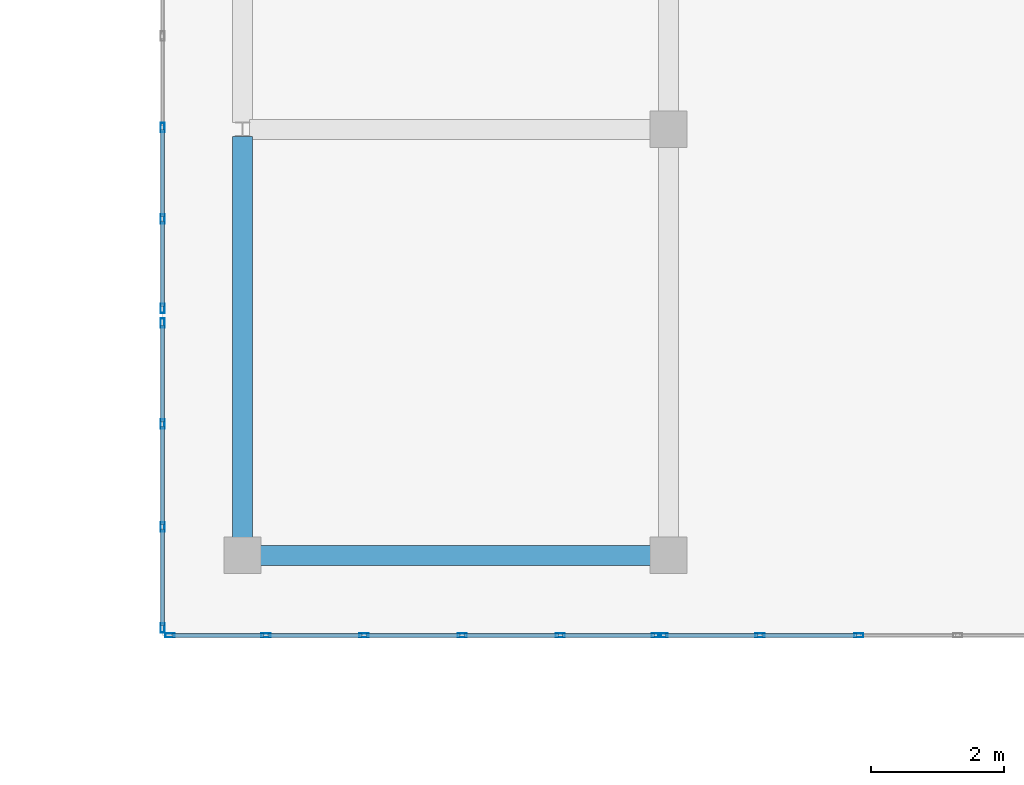
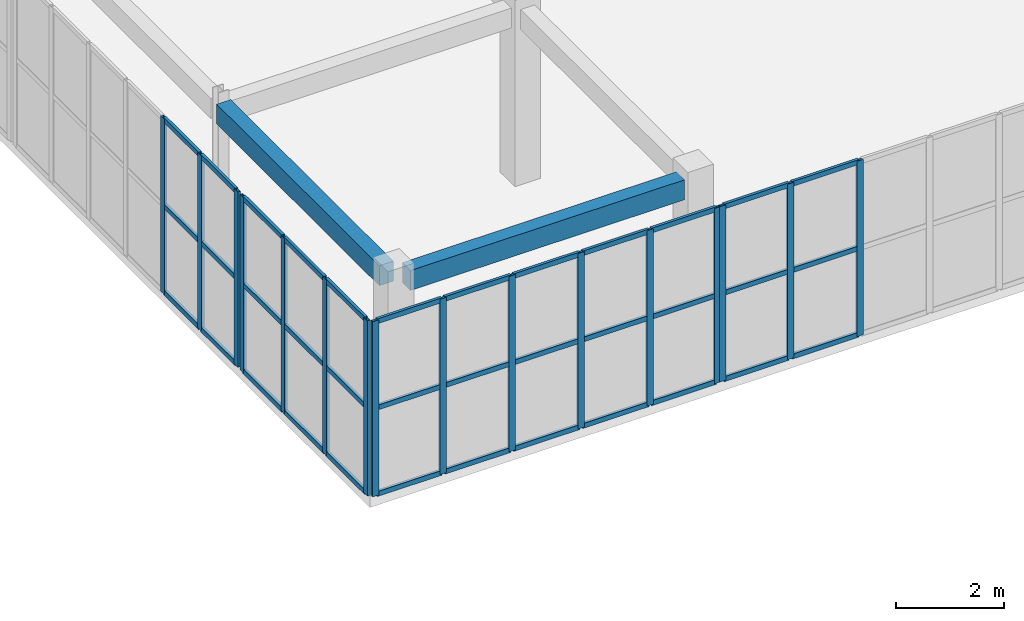
# One storey, part 16 of 140: 52 members, 2 beams, 4 elements without a shape of their own.
"""IFC4 building model written with IfcOpenShell, lengths in metres."""

from ifc_helpers import new_model, si_unit, direction, frame, origin, origin_2d, place, context, subcontext, project, spatial, rectangle, hollow_rectangle, extrude, material, layer, layer_set, material_profile, profile_set, type_object, element, aggregate, save


model = new_model("IFC4")

# Units and contexts
model_context = context("Model", 3, precision=1e-05, world=origin(), true_north=direction((0.0, 1.0)))
body_context = subcontext(model_context, "Body", "Model", "MODEL_VIEW")
ifc_project = project(units=[si_unit("LENGTHUNIT", "METRE"), si_unit("AREAUNIT", "SQUARE_METRE"), si_unit("VOLUMEUNIT", "CUBIC_METRE"), si_unit("PLANEANGLEUNIT", "RADIAN"), si_unit("MASSUNIT", "GRAM", prefix="KILO")], contexts=[model_context])

# Site, building, storey
site_placement = place(None, origin())
site = spatial("IfcSite", under=ifc_project, at=site_placement, CompositionType="ELEMENT")
building_placement = place(site_placement, origin())
building = spatial("IfcBuilding", under=site, at=building_placement, Name="Trelvath General Hospital", CompositionType="ELEMENT")
storey_placement = place(building_placement, frame((0.0, 0.0, 16.199951171875)))
storey = spatial("IfcBuildingStorey", under=building, at=storey_placement, Name="L04", CompositionType="ELEMENT", Elevation=16.199951171875)

# Beams
ifc_material_1 = material(Name="Concrete C35/45", Category="concrete")
ifc_material_profile_1 = material_profile(ifc_material_1, rectangle(XDim=0.300048828125, YDim=0.449951171875, at=origin_2d()), Name="RCB300x450")
ifc_profile_set_1 = profile_set([ifc_material_profile_1], Name="Concrete C35/45")
beam_type = type_object("IfcBeamType", Name="Beam RC300x450", PredefinedType="BEAM", material=ifc_profile_set_1)
beam_1_placement = place(storey_placement, frame((54.6708984375, 38.39990234375, 3.735107421875), z_axis=(1.0, 0.0, 0.0), x_axis=(0.0, 1.0, 0.0)))
element("IfcBeam", 1, at=beam_1_placement, inside=storey, type_object=beam_type, Name="Cube Interior Ring Beam CUBE-W-T1 L04", PredefinedType="BEAM", context=body_context, shape_type="SweptSolid", body=[
    extrude(rectangle(XDim=0.300048828125, YDim=0.449951171875, at=origin_2d()), origin(), (0.0, 0.0, 1.0), 5.858154296875),
])
beam_2_placement = place(storey_placement, frame((54.39990234375, 38.6708984375, 3.735107421875), z_axis=(0.0, 1.0, 0.0), x_axis=(-1.0, 0.0, 0.0)))
element("IfcBeam", 2, at=beam_2_placement, inside=storey, type_object=beam_type, Name="Cube Interior Ring Beam CUBE-W-T1 L04", PredefinedType="BEAM", context=body_context, shape_type="SweptSolid", body=[
    extrude(rectangle(XDim=0.300048828125, YDim=0.449951171875, at=origin_2d()), origin(), (0.0, 0.0, 1.0), 6.023193359375),
])

# Curtain wall, members
ifc_material_2 = material(Name="Anodised aluminium and low-E glass", Category="aluminium")
ifc_layer_1 = layer(ifc_material_2, 0.139892578125)
ifc_layer_set_1 = layer_set([ifc_layer_1], Name="Anodised aluminium and low-E glass")
curtain_wall_type_1 = type_object("IfcCurtainWallType", Name="CW CrystalCube 737 396 14", PredefinedType="USERDEFINED", material=ifc_layer_set_1)
curtain_wall_1_placement = place(storey_placement, origin())
curtain_wall_1 = element("IfcCurtainWall", 3, at=curtain_wall_1_placement, inside=storey, type_object=curtain_wall_type_1, Name="Crystal Cube Curtain Wall CUBE-W-T1 S1 L04", ObjectType="Unitised Glazed Curtain Wall", PredefinedType="USERDEFINED")
ifc_material_3 = material(Name="Anodised aluminium", Category="aluminium")
ifc_material_profile_2 = material_profile(ifc_material_3, hollow_rectangle(XDim=0.06005859375, YDim=0.139892578125, WallThickness=0.00390625, at=origin_2d()), Name="RHS60x140x4")
ifc_profile_set_2 = profile_set([ifc_material_profile_2], Name="Anodised aluminium")
member_type_1 = type_object("IfcMemberType", Name="CurtainMullion 60x140", PredefinedType="MULLION", material=ifc_profile_set_2)
member_1_placement = place(storey_placement, frame((60.61669921875, 37.199951171875, 0.0), z_axis=(0.0, 0.0, 1.0), x_axis=(0.0, -1.0, 0.0)))
member_1 = element("IfcMember", 4, at=member_1_placement, type_object=member_type_1, Name="CW-268 mullion 1", PredefinedType="MULLION", context=body_context, shape_type="SweptSolid", body=[
    extrude(hollow_rectangle(XDim=0.06005859375, YDim=0.139892578125, WallThickness=0.00390625, at=origin_2d()), origin(), (0.0, 0.0, 1.0), 3.9599609375),
])
member_2_placement = place(storey_placement, frame((59.17333984375, 37.199951171875, 0.0), z_axis=(0.0, 0.0, 1.0), x_axis=(0.0, -1.0, 0.0)))
member_2 = element("IfcMember", 5, at=member_2_placement, type_object=member_type_1, Name="CW-268 mullion 2", PredefinedType="MULLION", context=body_context, shape_type="SweptSolid", body=[
    extrude(hollow_rectangle(XDim=0.06005859375, YDim=0.139892578125, WallThickness=0.00390625, at=origin_2d()), origin(), (0.0, 0.0, 1.0), 3.9599609375),
])
member_3_placement = place(storey_placement, frame((57.699951171875, 37.199951171875, 0.0), z_axis=(0.0, 0.0, 1.0), x_axis=(0.0, -1.0, 0.0)))
member_3 = element("IfcMember", 6, at=member_3_placement, type_object=member_type_1, Name="CW-268 mullion 3", PredefinedType="MULLION", context=body_context, shape_type="SweptSolid", body=[
    extrude(hollow_rectangle(XDim=0.06005859375, YDim=0.139892578125, WallThickness=0.00390625, at=origin_2d()), origin(), (0.0, 0.0, 1.0), 3.9599609375),
])
member_4_placement = place(storey_placement, frame((56.2265625, 37.199951171875, 0.0), z_axis=(0.0, 0.0, 1.0), x_axis=(0.0, -1.0, 0.0)))
member_4 = element("IfcMember", 7, at=member_4_placement, type_object=member_type_1, Name="CW-268 mullion 4", PredefinedType="MULLION", context=body_context, shape_type="SweptSolid", body=[
    extrude(hollow_rectangle(XDim=0.06005859375, YDim=0.139892578125, WallThickness=0.00390625, at=origin_2d()), origin(), (0.0, 0.0, 1.0), 3.9599609375),
])
member_5_placement = place(storey_placement, frame((54.75341796875, 37.199951171875, 0.0), z_axis=(0.0, 0.0, 1.0), x_axis=(0.0, -1.0, 0.0)))
member_5 = element("IfcMember", 8, at=member_5_placement, type_object=member_type_1, Name="CW-268 mullion 5", PredefinedType="MULLION", context=body_context, shape_type="SweptSolid", body=[
    extrude(hollow_rectangle(XDim=0.06005859375, YDim=0.139892578125, WallThickness=0.00390625, at=origin_2d()), origin(), (0.0, 0.0, 1.0), 3.9599609375),
])
member_6_placement = place(storey_placement, frame((53.31005859375, 37.199951171875, 0.0), z_axis=(0.0, 0.0, 1.0), x_axis=(0.0, -1.0, 0.0)))
member_6 = element("IfcMember", 9, at=member_6_placement, type_object=member_type_1, Name="CW-268 mullion 6", PredefinedType="MULLION", context=body_context, shape_type="SweptSolid", body=[
    extrude(hollow_rectangle(XDim=0.06005859375, YDim=0.139892578125, WallThickness=0.00390625, at=origin_2d()), origin(), (0.0, 0.0, 1.0), 3.9599609375),
])

ifc_material_4 = material(Name="Anodised aluminium and low-E glass", Category="aluminium")
ifc_layer_2 = layer(ifc_material_4, 0.139892578125)
ifc_layer_set_2 = layer_set([ifc_layer_2], Name="Anodised aluminium and low-E glass")
curtain_wall_type_2 = type_object("IfcCurtainWallType", Name="CW CrystalCube 743 396 14", PredefinedType="USERDEFINED", material=ifc_layer_set_2)
curtain_wall_2_placement = place(storey_placement, origin())
curtain_wall_2 = element("IfcCurtainWall", 10, at=curtain_wall_2_placement, inside=storey, type_object=curtain_wall_type_2, Name="Crystal Cube Curtain Wall CUBE-W-T1 S2 L04", ObjectType="Unitised Glazed Curtain Wall", PredefinedType="USERDEFINED")
member_7_placement = place(storey_placement, frame((63.6572265625, 37.199951171875, 0.0), z_axis=(0.0, 0.0, 1.0), x_axis=(0.0, -1.0, 0.0)))
member_7 = element("IfcMember", 11, at=member_7_placement, type_object=member_type_1, Name="CW-269 mullion 4", PredefinedType="MULLION", context=body_context, shape_type="SweptSolid", body=[
    extrude(hollow_rectangle(XDim=0.06005859375, YDim=0.139892578125, WallThickness=0.00390625, at=origin_2d()), origin(), (0.0, 0.0, 1.0), 3.9599609375),
])
member_8_placement = place(storey_placement, frame((62.172119140625, 37.199951171875, 0.0), z_axis=(0.0, 0.0, 1.0), x_axis=(0.0, -1.0, 0.0)))
member_8 = element("IfcMember", 12, at=member_8_placement, type_object=member_type_1, Name="CW-269 mullion 5", PredefinedType="MULLION", context=body_context, shape_type="SweptSolid", body=[
    extrude(hollow_rectangle(XDim=0.06005859375, YDim=0.139892578125, WallThickness=0.00390625, at=origin_2d()), origin(), (0.0, 0.0, 1.0), 3.9599609375),
])
member_9_placement = place(storey_placement, frame((60.716796875, 37.199951171875, 0.0), z_axis=(0.0, 0.0, 1.0), x_axis=(0.0, -1.0, 0.0)))
member_9 = element("IfcMember", 13, at=member_9_placement, type_object=member_type_1, Name="CW-269 mullion 6", PredefinedType="MULLION", context=body_context, shape_type="SweptSolid", body=[
    extrude(hollow_rectangle(XDim=0.06005859375, YDim=0.139892578125, WallThickness=0.00390625, at=origin_2d()), origin(), (0.0, 0.0, 1.0), 3.9599609375),
])

ifc_material_5 = material(Name="Anodised aluminium and low-E glass", Category="aluminium")
ifc_layer_3 = layer(ifc_material_5, 0.139892578125)
ifc_layer_set_3 = layer_set([ifc_layer_3], Name="Anodised aluminium and low-E glass")
curtain_wall_type_3 = type_object("IfcCurtainWallType", Name="CW CrystalCube 464 396 14", PredefinedType="USERDEFINED", material=ifc_layer_set_3)
curtain_wall_3_placement = place(storey_placement, origin())
curtain_wall_3 = element("IfcCurtainWall", 14, at=curtain_wall_3_placement, inside=storey, type_object=curtain_wall_type_3, Name="Crystal Cube Curtain Wall CUBE-W-T1 W1 L04", ObjectType="Unitised Glazed Curtain Wall", PredefinedType="USERDEFINED")
member_10_placement = place(storey_placement, frame((53.199951171875, 37.31005859375, 0.0), z_axis=(0.0, 0.0, 1.0), x_axis=(-1.0, 0.0, 0.0)))
member_10 = element("IfcMember", 15, at=member_10_placement, type_object=member_type_1, Name="CW-274 mullion 1", PredefinedType="MULLION", context=body_context, shape_type="SweptSolid", body=[
    extrude(hollow_rectangle(XDim=0.06005859375, YDim=0.139892578125, WallThickness=0.00390625, at=origin_2d()), origin(), (0.0, 0.0, 1.0), 3.9599609375),
])
member_11_placement = place(storey_placement, frame((53.199951171875, 38.82666015625, 0.0), z_axis=(0.0, 0.0, 1.0), x_axis=(-1.0, 0.0, 0.0)))
member_11 = element("IfcMember", 16, at=member_11_placement, type_object=member_type_1, Name="CW-274 mullion 2", PredefinedType="MULLION", context=body_context, shape_type="SweptSolid", body=[
    extrude(hollow_rectangle(XDim=0.06005859375, YDim=0.139892578125, WallThickness=0.00390625, at=origin_2d()), origin(), (0.0, 0.0, 1.0), 3.9599609375),
])
member_12_placement = place(storey_placement, frame((53.199951171875, 40.373291015625, 0.0), z_axis=(0.0, 0.0, 1.0), x_axis=(-1.0, 0.0, 0.0)))
member_12 = element("IfcMember", 17, at=member_12_placement, type_object=member_type_1, Name="CW-274 mullion 3", PredefinedType="MULLION", context=body_context, shape_type="SweptSolid", body=[
    extrude(hollow_rectangle(XDim=0.06005859375, YDim=0.139892578125, WallThickness=0.00390625, at=origin_2d()), origin(), (0.0, 0.0, 1.0), 3.9599609375),
])
member_13_placement = place(storey_placement, frame((53.199951171875, 41.889892578125, 0.0), z_axis=(0.0, 0.0, 1.0), x_axis=(-1.0, 0.0, 0.0)))
member_13 = element("IfcMember", 18, at=member_13_placement, type_object=member_type_1, Name="CW-274 mullion 4", PredefinedType="MULLION", context=body_context, shape_type="SweptSolid", body=[
    extrude(hollow_rectangle(XDim=0.06005859375, YDim=0.139892578125, WallThickness=0.00390625, at=origin_2d()), origin(), (0.0, 0.0, 1.0), 3.9599609375),
])

ifc_material_6 = material(Name="Anodised aluminium and low-E glass", Category="aluminium")
ifc_layer_4 = layer(ifc_material_6, 0.139892578125)
ifc_layer_set_4 = layer_set([ifc_layer_4], Name="Anodised aluminium and low-E glass")
curtain_wall_type_4 = type_object("IfcCurtainWallType", Name="CW CrystalCube 824 396 14", PredefinedType="USERDEFINED", material=ifc_layer_set_4)
curtain_wall_4_placement = place(storey_placement, origin())
curtain_wall_4 = element("IfcCurtainWall", 19, at=curtain_wall_4_placement, inside=storey, type_object=curtain_wall_type_4, Name="Crystal Cube Curtain Wall CUBE-W-T1 W2 L04", ObjectType="Unitised Glazed Curtain Wall", PredefinedType="USERDEFINED")
member_14_placement = place(storey_placement, frame((53.199951171875, 42.110107421875, 0.0), z_axis=(0.0, 0.0, 1.0), x_axis=(-1.0, 0.0, 0.0)))
member_14 = element("IfcMember", 20, at=member_14_placement, type_object=member_type_1, Name="CW-276 mullion 1", PredefinedType="MULLION", context=body_context, shape_type="SweptSolid", body=[
    extrude(hollow_rectangle(XDim=0.06005859375, YDim=0.139892578125, WallThickness=0.00390625, at=origin_2d()), origin(), (0.0, 0.0, 1.0), 3.9599609375),
])
member_15_placement = place(storey_placement, frame((53.199951171875, 43.453369140625, 0.0), z_axis=(0.0, 0.0, 1.0), x_axis=(-1.0, 0.0, 0.0)))
member_15 = element("IfcMember", 21, at=member_15_placement, type_object=member_type_1, Name="CW-276 mullion 2", PredefinedType="MULLION", context=body_context, shape_type="SweptSolid", body=[
    extrude(hollow_rectangle(XDim=0.06005859375, YDim=0.139892578125, WallThickness=0.00390625, at=origin_2d()), origin(), (0.0, 0.0, 1.0), 3.9599609375),
])
member_16_placement = place(storey_placement, frame((53.199951171875, 44.82666015625, 0.0), z_axis=(0.0, 0.0, 1.0), x_axis=(-1.0, 0.0, 0.0)))
member_16 = element("IfcMember", 22, at=member_16_placement, type_object=member_type_1, Name="CW-276 mullion 3", PredefinedType="MULLION", context=body_context, shape_type="SweptSolid", body=[
    extrude(hollow_rectangle(XDim=0.06005859375, YDim=0.139892578125, WallThickness=0.00390625, at=origin_2d()), origin(), (0.0, 0.0, 1.0), 3.9599609375),
])

# Member
ifc_material_7 = material(Name="Anodised aluminium", Category="aluminium")
ifc_material_profile_3 = material_profile(ifc_material_7, hollow_rectangle(XDim=0.06005859375, YDim=0.110107421875, WallThickness=0.00390625, at=origin_2d()), Name="RHS60x110x4")
ifc_profile_set_3 = profile_set([ifc_material_profile_3], Name="Anodised aluminium")
member_type_2 = type_object("IfcMemberType", Name="CurtainTransom 60x110", PredefinedType="USERDEFINED", material=ifc_profile_set_3)
member_17_placement = place(storey_placement, frame((60.586669921875, 37.199951171875, 0.030029296875), z_axis=(-1.0, 0.0, 0.0), x_axis=(0.0, -1.0, 0.0)))
member_17 = element("IfcMember", 23, at=member_17_placement, type_object=member_type_2, Name="CW-268 transom 1.1", ObjectType="TRANSOM", PredefinedType="USERDEFINED", context=body_context, shape_type="SweptSolid", body=[
    extrude(hollow_rectangle(XDim=0.06005859375, YDim=0.110107421875, WallThickness=0.00390625, at=origin_2d()), origin(), (0.0, 0.0, 1.0), 1.38330078125),
])

member_18_placement = place(storey_placement, frame((60.586669921875, 37.199951171875, 1.97998046875), z_axis=(-1.0, 0.0, 0.0), x_axis=(0.0, -1.0, 0.0)))
member_18 = element("IfcMember", 24, at=member_18_placement, type_object=member_type_2, Name="CW-268 transom 1.2", ObjectType="TRANSOM", PredefinedType="USERDEFINED", context=body_context, shape_type="SweptSolid", body=[
    extrude(hollow_rectangle(XDim=0.06005859375, YDim=0.110107421875, WallThickness=0.00390625, at=origin_2d()), origin(), (0.0, 0.0, 1.0), 1.38330078125),
])

member_19_placement = place(storey_placement, frame((60.586669921875, 37.199951171875, 3.929931640625), z_axis=(-1.0, 0.0, 0.0), x_axis=(0.0, -1.0, 0.0)))
member_19 = element("IfcMember", 25, at=member_19_placement, type_object=member_type_2, Name="CW-268 transom 1.3", ObjectType="TRANSOM", PredefinedType="USERDEFINED", context=body_context, shape_type="SweptSolid", body=[
    extrude(hollow_rectangle(XDim=0.06005859375, YDim=0.110107421875, WallThickness=0.00390625, at=origin_2d()), origin(), (0.0, 0.0, 1.0), 1.38330078125),
])

member_20_placement = place(storey_placement, frame((59.143310546875, 37.199951171875, 0.030029296875), z_axis=(-1.0, 0.0, 0.0), x_axis=(0.0, -1.0, 0.0)))
member_20 = element("IfcMember", 26, at=member_20_placement, type_object=member_type_2, Name="CW-268 transom 2.1", ObjectType="TRANSOM", PredefinedType="USERDEFINED", context=body_context, shape_type="SweptSolid", body=[
    extrude(hollow_rectangle(XDim=0.06005859375, YDim=0.110107421875, WallThickness=0.00390625, at=origin_2d()), origin(), (0.0, 0.0, 1.0), 1.413330078125),
])

member_21_placement = place(storey_placement, frame((59.143310546875, 37.199951171875, 1.97998046875), z_axis=(-1.0, 0.0, 0.0), x_axis=(0.0, -1.0, 0.0)))
member_21 = element("IfcMember", 27, at=member_21_placement, type_object=member_type_2, Name="CW-268 transom 2.2", ObjectType="TRANSOM", PredefinedType="USERDEFINED", context=body_context, shape_type="SweptSolid", body=[
    extrude(hollow_rectangle(XDim=0.06005859375, YDim=0.110107421875, WallThickness=0.00390625, at=origin_2d()), origin(), (0.0, 0.0, 1.0), 1.413330078125),
])

member_22_placement = place(storey_placement, frame((59.143310546875, 37.199951171875, 3.929931640625), z_axis=(-1.0, 0.0, 0.0), x_axis=(0.0, -1.0, 0.0)))
member_22 = element("IfcMember", 28, at=member_22_placement, type_object=member_type_2, Name="CW-268 transom 2.3", ObjectType="TRANSOM", PredefinedType="USERDEFINED", context=body_context, shape_type="SweptSolid", body=[
    extrude(hollow_rectangle(XDim=0.06005859375, YDim=0.110107421875, WallThickness=0.00390625, at=origin_2d()), origin(), (0.0, 0.0, 1.0), 1.413330078125),
])

member_23_placement = place(storey_placement, frame((57.669921875, 37.199951171875, 0.030029296875), z_axis=(-1.0, 0.0, 0.0), x_axis=(0.0, -1.0, 0.0)))
member_23 = element("IfcMember", 29, at=member_23_placement, type_object=member_type_2, Name="CW-268 transom 3.1", ObjectType="TRANSOM", PredefinedType="USERDEFINED", context=body_context, shape_type="SweptSolid", body=[
    extrude(hollow_rectangle(XDim=0.06005859375, YDim=0.110107421875, WallThickness=0.00390625, at=origin_2d()), origin(), (0.0, 0.0, 1.0), 1.413330078125),
])

member_24_placement = place(storey_placement, frame((57.669921875, 37.199951171875, 1.97998046875), z_axis=(-1.0, 0.0, 0.0), x_axis=(0.0, -1.0, 0.0)))
member_24 = element("IfcMember", 30, at=member_24_placement, type_object=member_type_2, Name="CW-268 transom 3.2", ObjectType="TRANSOM", PredefinedType="USERDEFINED", context=body_context, shape_type="SweptSolid", body=[
    extrude(hollow_rectangle(XDim=0.06005859375, YDim=0.110107421875, WallThickness=0.00390625, at=origin_2d()), origin(), (0.0, 0.0, 1.0), 1.413330078125),
])

member_25_placement = place(storey_placement, frame((57.669921875, 37.199951171875, 3.929931640625), z_axis=(-1.0, 0.0, 0.0), x_axis=(0.0, -1.0, 0.0)))
member_25 = element("IfcMember", 31, at=member_25_placement, type_object=member_type_2, Name="CW-268 transom 3.3", ObjectType="TRANSOM", PredefinedType="USERDEFINED", context=body_context, shape_type="SweptSolid", body=[
    extrude(hollow_rectangle(XDim=0.06005859375, YDim=0.110107421875, WallThickness=0.00390625, at=origin_2d()), origin(), (0.0, 0.0, 1.0), 1.413330078125),
])

member_26_placement = place(storey_placement, frame((56.19677734375, 37.199951171875, 0.030029296875), z_axis=(-1.0, 0.0, 0.0), x_axis=(0.0, -1.0, 0.0)))
member_26 = element("IfcMember", 32, at=member_26_placement, type_object=member_type_2, Name="CW-268 transom 4.1", ObjectType="TRANSOM", PredefinedType="USERDEFINED", context=body_context, shape_type="SweptSolid", body=[
    extrude(hollow_rectangle(XDim=0.06005859375, YDim=0.110107421875, WallThickness=0.00390625, at=origin_2d()), origin(), (0.0, 0.0, 1.0), 1.413330078125),
])

member_27_placement = place(storey_placement, frame((56.19677734375, 37.199951171875, 1.97998046875), z_axis=(-1.0, 0.0, 0.0), x_axis=(0.0, -1.0, 0.0)))
member_27 = element("IfcMember", 33, at=member_27_placement, type_object=member_type_2, Name="CW-268 transom 4.2", ObjectType="TRANSOM", PredefinedType="USERDEFINED", context=body_context, shape_type="SweptSolid", body=[
    extrude(hollow_rectangle(XDim=0.06005859375, YDim=0.110107421875, WallThickness=0.00390625, at=origin_2d()), origin(), (0.0, 0.0, 1.0), 1.413330078125),
])

member_28_placement = place(storey_placement, frame((56.19677734375, 37.199951171875, 3.929931640625), z_axis=(-1.0, 0.0, 0.0), x_axis=(0.0, -1.0, 0.0)))
member_28 = element("IfcMember", 34, at=member_28_placement, type_object=member_type_2, Name="CW-268 transom 4.3", ObjectType="TRANSOM", PredefinedType="USERDEFINED", context=body_context, shape_type="SweptSolid", body=[
    extrude(hollow_rectangle(XDim=0.06005859375, YDim=0.110107421875, WallThickness=0.00390625, at=origin_2d()), origin(), (0.0, 0.0, 1.0), 1.413330078125),
])

member_29_placement = place(storey_placement, frame((54.723388671875, 37.199951171875, 0.030029296875), z_axis=(-1.0, 0.0, 0.0), x_axis=(0.0, -1.0, 0.0)))
member_29 = element("IfcMember", 35, at=member_29_placement, type_object=member_type_2, Name="CW-268 transom 5.1", ObjectType="TRANSOM", PredefinedType="USERDEFINED", context=body_context, shape_type="SweptSolid", body=[
    extrude(hollow_rectangle(XDim=0.06005859375, YDim=0.110107421875, WallThickness=0.00390625, at=origin_2d()), origin(), (0.0, 0.0, 1.0), 1.38330078125),
])

member_30_placement = place(storey_placement, frame((54.723388671875, 37.199951171875, 1.97998046875), z_axis=(-1.0, 0.0, 0.0), x_axis=(0.0, -1.0, 0.0)))
member_30 = element("IfcMember", 36, at=member_30_placement, type_object=member_type_2, Name="CW-268 transom 5.2", ObjectType="TRANSOM", PredefinedType="USERDEFINED", context=body_context, shape_type="SweptSolid", body=[
    extrude(hollow_rectangle(XDim=0.06005859375, YDim=0.110107421875, WallThickness=0.00390625, at=origin_2d()), origin(), (0.0, 0.0, 1.0), 1.38330078125),
])

member_31_placement = place(storey_placement, frame((54.723388671875, 37.199951171875, 3.929931640625), z_axis=(-1.0, 0.0, 0.0), x_axis=(0.0, -1.0, 0.0)))
member_31 = element("IfcMember", 37, at=member_31_placement, type_object=member_type_2, Name="CW-268 transom 5.3", ObjectType="TRANSOM", PredefinedType="USERDEFINED", context=body_context, shape_type="SweptSolid", body=[
    extrude(hollow_rectangle(XDim=0.06005859375, YDim=0.110107421875, WallThickness=0.00390625, at=origin_2d()), origin(), (0.0, 0.0, 1.0), 1.38330078125),
])

aggregate(curtain_wall_1, [member_1, member_2, member_3, member_4, member_5, member_6, member_17, member_18, member_19, member_20, member_21, member_22, member_23, member_24, member_25, member_26, member_27, member_28, member_29, member_30, member_31])

member_32_placement = place(storey_placement, frame((63.62744140625, 37.199951171875, 0.030029296875), z_axis=(-1.0, 0.0, 0.0), x_axis=(0.0, -1.0, 0.0)))
member_32 = element("IfcMember", 38, at=member_32_placement, type_object=member_type_2, Name="CW-269 transom 4.1", ObjectType="TRANSOM", PredefinedType="USERDEFINED", context=body_context, shape_type="SweptSolid", body=[
    extrude(hollow_rectangle(XDim=0.06005859375, YDim=0.110107421875, WallThickness=0.00390625, at=origin_2d()), origin(), (0.0, 0.0, 1.0), 1.425537109375),
])

member_33_placement = place(storey_placement, frame((63.62744140625, 37.199951171875, 1.97998046875), z_axis=(-1.0, 0.0, 0.0), x_axis=(0.0, -1.0, 0.0)))
member_33 = element("IfcMember", 39, at=member_33_placement, type_object=member_type_2, Name="CW-269 transom 4.2", ObjectType="TRANSOM", PredefinedType="USERDEFINED", context=body_context, shape_type="SweptSolid", body=[
    extrude(hollow_rectangle(XDim=0.06005859375, YDim=0.110107421875, WallThickness=0.00390625, at=origin_2d()), origin(), (0.0, 0.0, 1.0), 1.425537109375),
])

member_34_placement = place(storey_placement, frame((63.62744140625, 37.199951171875, 3.929931640625), z_axis=(-1.0, 0.0, 0.0), x_axis=(0.0, -1.0, 0.0)))
member_34 = element("IfcMember", 40, at=member_34_placement, type_object=member_type_2, Name="CW-269 transom 4.3", ObjectType="TRANSOM", PredefinedType="USERDEFINED", context=body_context, shape_type="SweptSolid", body=[
    extrude(hollow_rectangle(XDim=0.06005859375, YDim=0.110107421875, WallThickness=0.00390625, at=origin_2d()), origin(), (0.0, 0.0, 1.0), 1.425537109375),
])

member_35_placement = place(storey_placement, frame((62.14208984375, 37.199951171875, 0.030029296875), z_axis=(-1.0, 0.0, 0.0), x_axis=(0.0, -1.0, 0.0)))
member_35 = element("IfcMember", 41, at=member_35_placement, type_object=member_type_2, Name="CW-269 transom 5.1", ObjectType="TRANSOM", PredefinedType="USERDEFINED", context=body_context, shape_type="SweptSolid", body=[
    extrude(hollow_rectangle(XDim=0.06005859375, YDim=0.110107421875, WallThickness=0.00390625, at=origin_2d()), origin(), (0.0, 0.0, 1.0), 1.3955078125),
])

member_36_placement = place(storey_placement, frame((62.14208984375, 37.199951171875, 1.97998046875), z_axis=(-1.0, 0.0, 0.0), x_axis=(0.0, -1.0, 0.0)))
member_36 = element("IfcMember", 42, at=member_36_placement, type_object=member_type_2, Name="CW-269 transom 5.2", ObjectType="TRANSOM", PredefinedType="USERDEFINED", context=body_context, shape_type="SweptSolid", body=[
    extrude(hollow_rectangle(XDim=0.06005859375, YDim=0.110107421875, WallThickness=0.00390625, at=origin_2d()), origin(), (0.0, 0.0, 1.0), 1.3955078125),
])

member_37_placement = place(storey_placement, frame((62.14208984375, 37.199951171875, 3.929931640625), z_axis=(-1.0, 0.0, 0.0), x_axis=(0.0, -1.0, 0.0)))
member_37 = element("IfcMember", 43, at=member_37_placement, type_object=member_type_2, Name="CW-269 transom 5.3", ObjectType="TRANSOM", PredefinedType="USERDEFINED", context=body_context, shape_type="SweptSolid", body=[
    extrude(hollow_rectangle(XDim=0.06005859375, YDim=0.110107421875, WallThickness=0.00390625, at=origin_2d()), origin(), (0.0, 0.0, 1.0), 1.3955078125),
])

aggregate(curtain_wall_2, [member_7, member_8, member_9, member_32, member_33, member_34, member_35, member_36, member_37])

member_38_placement = place(storey_placement, frame((53.199951171875, 37.340087890625, 0.030029296875), z_axis=(0.0, 1.0, 0.0), x_axis=(-1.0, 0.0, 0.0)))
member_38 = element("IfcMember", 44, at=member_38_placement, type_object=member_type_2, Name="CW-274 transom 1.1", ObjectType="TRANSOM", PredefinedType="USERDEFINED", context=body_context, shape_type="SweptSolid", body=[
    extrude(hollow_rectangle(XDim=0.06005859375, YDim=0.110107421875, WallThickness=0.00390625, at=origin_2d()), origin(), (0.0, 0.0, 1.0), 1.45654296875),
])

member_39_placement = place(storey_placement, frame((53.199951171875, 37.340087890625, 1.97998046875), z_axis=(0.0, 1.0, 0.0), x_axis=(-1.0, 0.0, 0.0)))
member_39 = element("IfcMember", 45, at=member_39_placement, type_object=member_type_2, Name="CW-274 transom 1.2", ObjectType="TRANSOM", PredefinedType="USERDEFINED", context=body_context, shape_type="SweptSolid", body=[
    extrude(hollow_rectangle(XDim=0.06005859375, YDim=0.110107421875, WallThickness=0.00390625, at=origin_2d()), origin(), (0.0, 0.0, 1.0), 1.45654296875),
])

member_40_placement = place(storey_placement, frame((53.199951171875, 37.340087890625, 3.929931640625), z_axis=(0.0, 1.0, 0.0), x_axis=(-1.0, 0.0, 0.0)))
member_40 = element("IfcMember", 46, at=member_40_placement, type_object=member_type_2, Name="CW-274 transom 1.3", ObjectType="TRANSOM", PredefinedType="USERDEFINED", context=body_context, shape_type="SweptSolid", body=[
    extrude(hollow_rectangle(XDim=0.06005859375, YDim=0.110107421875, WallThickness=0.00390625, at=origin_2d()), origin(), (0.0, 0.0, 1.0), 1.45654296875),
])

member_41_placement = place(storey_placement, frame((53.199951171875, 38.856689453125, 0.030029296875), z_axis=(0.0, 1.0, 0.0), x_axis=(-1.0, 0.0, 0.0)))
member_41 = element("IfcMember", 47, at=member_41_placement, type_object=member_type_2, Name="CW-274 transom 2.1", ObjectType="TRANSOM", PredefinedType="USERDEFINED", context=body_context, shape_type="SweptSolid", body=[
    extrude(hollow_rectangle(XDim=0.06005859375, YDim=0.110107421875, WallThickness=0.00390625, at=origin_2d()), origin(), (0.0, 0.0, 1.0), 1.486572265625),
])

member_42_placement = place(storey_placement, frame((53.199951171875, 38.856689453125, 1.97998046875), z_axis=(0.0, 1.0, 0.0), x_axis=(-1.0, 0.0, 0.0)))
member_42 = element("IfcMember", 48, at=member_42_placement, type_object=member_type_2, Name="CW-274 transom 2.2", ObjectType="TRANSOM", PredefinedType="USERDEFINED", context=body_context, shape_type="SweptSolid", body=[
    extrude(hollow_rectangle(XDim=0.06005859375, YDim=0.110107421875, WallThickness=0.00390625, at=origin_2d()), origin(), (0.0, 0.0, 1.0), 1.486572265625),
])

member_43_placement = place(storey_placement, frame((53.199951171875, 38.856689453125, 3.929931640625), z_axis=(0.0, 1.0, 0.0), x_axis=(-1.0, 0.0, 0.0)))
member_43 = element("IfcMember", 49, at=member_43_placement, type_object=member_type_2, Name="CW-274 transom 2.3", ObjectType="TRANSOM", PredefinedType="USERDEFINED", context=body_context, shape_type="SweptSolid", body=[
    extrude(hollow_rectangle(XDim=0.06005859375, YDim=0.110107421875, WallThickness=0.00390625, at=origin_2d()), origin(), (0.0, 0.0, 1.0), 1.486572265625),
])

member_44_placement = place(storey_placement, frame((53.199951171875, 40.4033203125, 0.030029296875), z_axis=(0.0, 1.0, 0.0), x_axis=(-1.0, 0.0, 0.0)))
member_44 = element("IfcMember", 50, at=member_44_placement, type_object=member_type_2, Name="CW-274 transom 3.1", ObjectType="TRANSOM", PredefinedType="USERDEFINED", context=body_context, shape_type="SweptSolid", body=[
    extrude(hollow_rectangle(XDim=0.06005859375, YDim=0.110107421875, WallThickness=0.00390625, at=origin_2d()), origin(), (0.0, 0.0, 1.0), 1.456787109375),
])

member_45_placement = place(storey_placement, frame((53.199951171875, 40.4033203125, 1.97998046875), z_axis=(0.0, 1.0, 0.0), x_axis=(-1.0, 0.0, 0.0)))
member_45 = element("IfcMember", 51, at=member_45_placement, type_object=member_type_2, Name="CW-274 transom 3.2", ObjectType="TRANSOM", PredefinedType="USERDEFINED", context=body_context, shape_type="SweptSolid", body=[
    extrude(hollow_rectangle(XDim=0.06005859375, YDim=0.110107421875, WallThickness=0.00390625, at=origin_2d()), origin(), (0.0, 0.0, 1.0), 1.456787109375),
])

member_46_placement = place(storey_placement, frame((53.199951171875, 40.4033203125, 3.929931640625), z_axis=(0.0, 1.0, 0.0), x_axis=(-1.0, 0.0, 0.0)))
member_46 = element("IfcMember", 52, at=member_46_placement, type_object=member_type_2, Name="CW-274 transom 3.3", ObjectType="TRANSOM", PredefinedType="USERDEFINED", context=body_context, shape_type="SweptSolid", body=[
    extrude(hollow_rectangle(XDim=0.06005859375, YDim=0.110107421875, WallThickness=0.00390625, at=origin_2d()), origin(), (0.0, 0.0, 1.0), 1.456787109375),
])

aggregate(curtain_wall_3, [member_10, member_11, member_12, member_13, member_38, member_39, member_40, member_41, member_42, member_43, member_44, member_45, member_46])

member_47_placement = place(storey_placement, frame((53.199951171875, 42.139892578125, 0.030029296875), z_axis=(0.0, 1.0, 0.0), x_axis=(-1.0, 0.0, 0.0)))
member_47 = element("IfcMember", 53, at=member_47_placement, type_object=member_type_2, Name="CW-276 transom 1.1", ObjectType="TRANSOM", PredefinedType="USERDEFINED", context=body_context, shape_type="SweptSolid", body=[
    extrude(hollow_rectangle(XDim=0.06005859375, YDim=0.110107421875, WallThickness=0.00390625, at=origin_2d()), origin(), (0.0, 0.0, 1.0), 1.283447265625),
])

member_48_placement = place(storey_placement, frame((53.199951171875, 42.139892578125, 1.97998046875), z_axis=(0.0, 1.0, 0.0), x_axis=(-1.0, 0.0, 0.0)))
member_48 = element("IfcMember", 54, at=member_48_placement, type_object=member_type_2, Name="CW-276 transom 1.2", ObjectType="TRANSOM", PredefinedType="USERDEFINED", context=body_context, shape_type="SweptSolid", body=[
    extrude(hollow_rectangle(XDim=0.06005859375, YDim=0.110107421875, WallThickness=0.00390625, at=origin_2d()), origin(), (0.0, 0.0, 1.0), 1.283447265625),
])

member_49_placement = place(storey_placement, frame((53.199951171875, 42.139892578125, 3.929931640625), z_axis=(0.0, 1.0, 0.0), x_axis=(-1.0, 0.0, 0.0)))
member_49 = element("IfcMember", 55, at=member_49_placement, type_object=member_type_2, Name="CW-276 transom 1.3", ObjectType="TRANSOM", PredefinedType="USERDEFINED", context=body_context, shape_type="SweptSolid", body=[
    extrude(hollow_rectangle(XDim=0.06005859375, YDim=0.110107421875, WallThickness=0.00390625, at=origin_2d()), origin(), (0.0, 0.0, 1.0), 1.283447265625),
])

member_50_placement = place(storey_placement, frame((53.199951171875, 43.4833984375, 0.030029296875), z_axis=(0.0, 1.0, 0.0), x_axis=(-1.0, 0.0, 0.0)))
member_50 = element("IfcMember", 56, at=member_50_placement, type_object=member_type_2, Name="CW-276 transom 2.1", ObjectType="TRANSOM", PredefinedType="USERDEFINED", context=body_context, shape_type="SweptSolid", body=[
    extrude(hollow_rectangle(XDim=0.06005859375, YDim=0.110107421875, WallThickness=0.00390625, at=origin_2d()), origin(), (0.0, 0.0, 1.0), 1.313232421875),
])

member_51_placement = place(storey_placement, frame((53.199951171875, 43.4833984375, 1.97998046875), z_axis=(0.0, 1.0, 0.0), x_axis=(-1.0, 0.0, 0.0)))
member_51 = element("IfcMember", 57, at=member_51_placement, type_object=member_type_2, Name="CW-276 transom 2.2", ObjectType="TRANSOM", PredefinedType="USERDEFINED", context=body_context, shape_type="SweptSolid", body=[
    extrude(hollow_rectangle(XDim=0.06005859375, YDim=0.110107421875, WallThickness=0.00390625, at=origin_2d()), origin(), (0.0, 0.0, 1.0), 1.313232421875),
])

member_52_placement = place(storey_placement, frame((53.199951171875, 43.4833984375, 3.929931640625), z_axis=(0.0, 1.0, 0.0), x_axis=(-1.0, 0.0, 0.0)))
member_52 = element("IfcMember", 58, at=member_52_placement, type_object=member_type_2, Name="CW-276 transom 2.3", ObjectType="TRANSOM", PredefinedType="USERDEFINED", context=body_context, shape_type="SweptSolid", body=[
    extrude(hollow_rectangle(XDim=0.06005859375, YDim=0.110107421875, WallThickness=0.00390625, at=origin_2d()), origin(), (0.0, 0.0, 1.0), 1.313232421875),
])

aggregate(curtain_wall_4, [member_14, member_15, member_16, member_47, member_48, member_49, member_50, member_51, member_52])

save(model, "model.ifc")
